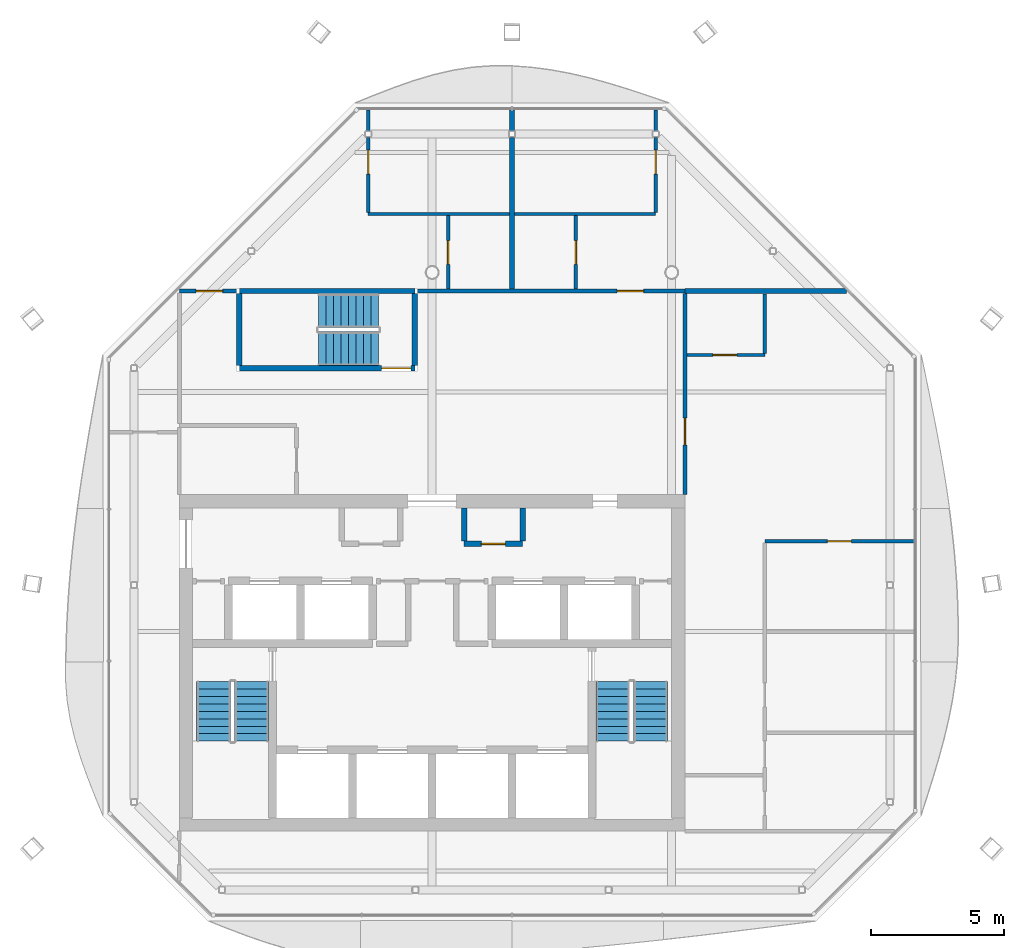
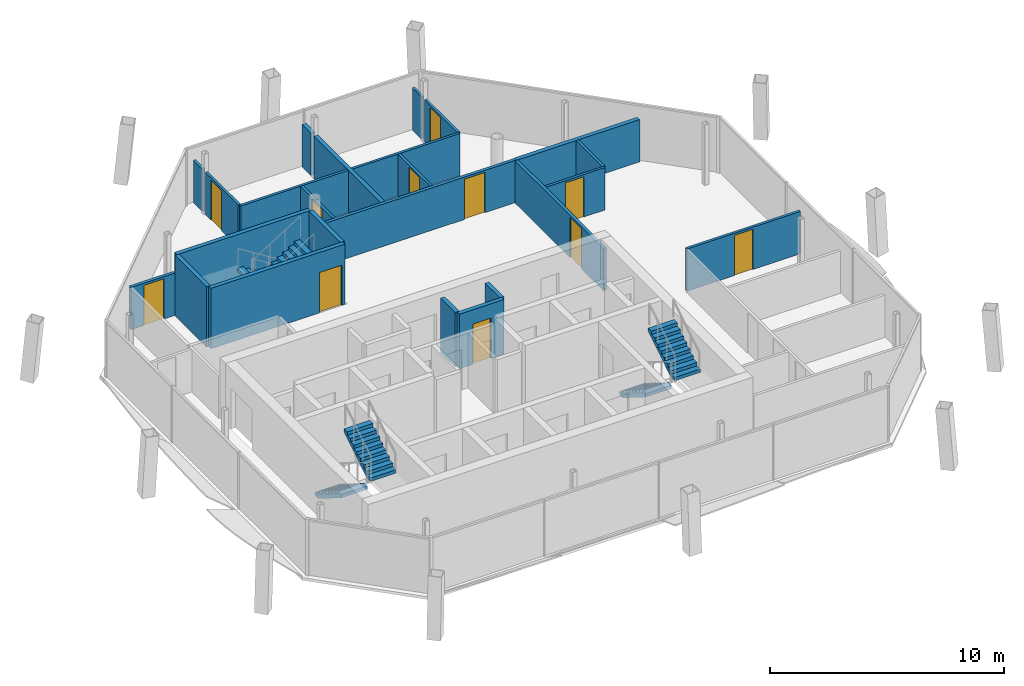
# One storey, part 10 of 13: 23 walls, 11 doors, 6 stair flights, 11 openings, 3 elements without a shape of their own.
"""IFC4 building model written with IfcOpenShell, lengths in metres."""

from ifc_helpers import new_model, si_unit, direction, frame, frame_2d, origin, place, context, subcontext, project, spatial, polyline, rectangle, outline, extrude, material, layer, layer_set, type_object, element, fill, aggregate, save


model = new_model("IFC4")

# Units and contexts
model_context = context("Model", 3, precision=1e-05, world=origin(), true_north=direction((0.0, 1.0)))
body_context = subcontext(model_context, "Body", "Model", "MODEL_VIEW")
ifc_project = project(units=[si_unit("LENGTHUNIT", "METRE"), si_unit("AREAUNIT", "SQUARE_METRE"), si_unit("VOLUMEUNIT", "CUBIC_METRE"), si_unit("PLANEANGLEUNIT", "RADIAN"), si_unit("MASSUNIT", "GRAM", prefix="KILO")], contexts=[model_context])

# Site, building, storey
site_placement = place(None, origin())
site = spatial("IfcSite", under=ifc_project, at=site_placement, CompositionType="ELEMENT")
building_placement = place(site_placement, origin())
building = spatial("IfcBuilding", under=site, at=building_placement, Name="Tskaro Facet Tower", CompositionType="ELEMENT")
storey_placement = place(building_placement, frame((0.0, 0.0, 291.0)))
storey = spatial("IfcBuildingStorey", under=building, at=storey_placement, Name="L78", CompositionType="ELEMENT", Elevation=291.0)

# Wall, opening, door
ifc_material_1 = material(Name="Concrete C20/25", Category="concrete")
ifc_layer_1 = layer(ifc_material_1, 0.199951171875, Name="Concrete C20/25")
ifc_layer_set_1 = layer_set([ifc_layer_1], Name="Concrete C20/25")
wall_type_1 = type_object("IfcWallType", Name="CORE-WALL", PredefinedType="SOLIDWALL", material=ifc_layer_set_1)
wall_1_placement = place(storey_placement, frame((1.199951171875, -1.199951171875, 0.0), z_axis=(0.0, 0.0, 1.0), x_axis=(1.0, 0.0, 0.0)))
wall_1 = element("IfcWall", 1, at=wall_1_placement, inside=storey, type_object=wall_type_1, Name="Core room wall W016", PredefinedType="SOLIDWALL", context=body_context, shape_type="SweptSolid", body=[
    extrude(rectangle(XDim=2.199951171875, YDim=0.199951171875, at=frame_2d((1.10009765625, 0.0))), origin(), (0.0, 0.0, 1.0), 2.85009765625),
])
opening_1_placement = place(wall_1_placement, frame((0.64990234375, 0.0, 0.0)))
opening_1 = element("IfcOpeningElement", 2, at=opening_1_placement, cuts=wall_1, Name="Opening T23-D11", PredefinedType="OPENING", context=body_context, shape_type="SweptSolid", body=[
    extrude(rectangle(XDim=0.89990234375, YDim=2.10009765625, at=frame_2d((0.449951171875, 1.050048828125))), frame((0.0, 0.10986328125, 0.0), z_axis=(0.0, -1.0, 0.0), x_axis=(1.0, 0.0, 0.0)), (0.0, 0.0, 1.0), 0.219970703125),
])
ifc_material_2 = material(Name="Timber", Category="wood")
door_type_1 = type_object("IfcDoorType", Name="D-ROOM", OperationType="NOTDEFINED", PredefinedType="DOOR", material=ifc_material_2)
door_1_placement = place(opening_1_placement, origin())
door_1 = element("IfcDoor", 3, at=door_1_placement, inside=storey, type_object=door_type_1, Name="Door T23-D11", OperationType="SINGLE_SWING_LEFT", OverallHeight=2.10009765625, OverallWidth=0.89990234375, PredefinedType="DOOR", context=body_context, shape_type="SweptSolid", body=[
    extrude(rectangle(XDim=0.89990234375, YDim=2.10009765625, at=frame_2d((0.449951171875, 1.050048828125))), frame((0.0, 0.02490234375, 0.0), z_axis=(0.0, -1.0, 0.0), x_axis=(1.0, 0.0, 0.0)), (0.0, 0.0, 1.0), 0.050048828125),
])
fill(opening_1, door_1)

# Walls
for number, where, z_axis, x_axis, name in (
    (4, (1.199951171875, -1.10009765625, 0.0), (0.0, 0.0, 1.0), (0.0, 1.0, 0.0), "Core room wall W046"),
    (5, (3.39990234375, -1.10009765625, 0.0), (0.0, 0.0, 1.0), (0.0, 1.0, 0.0), "Core room wall W051"),
):
    element("IfcWall", number, at=place(storey_placement, frame(where, z_axis=z_axis, x_axis=x_axis)), inside=storey, type_object=wall_type_1, Name=name, PredefinedType="SOLIDWALL", context=body_context, shape_type="SweptSolid", body=[
        extrude(rectangle(XDim=1.25, YDim=0.199951171875, at=frame_2d((0.625, 0.0))), origin(), (0.0, 0.0, 1.0), 2.85009765625),
    ])

# Wall, opening, door
ifc_material_3 = material(Name="Gypsum board on steel studs", Category="steel")
ifc_layer_2 = layer(ifc_material_3, 0.125, Name="Gypsum board on steel studs")
ifc_layer_set_2 = layer_set([ifc_layer_2], Name="Gypsum board on steel studs")
wall_type_2 = type_object("IfcWallType", Name="PART", PredefinedType="PARTITIONING", material=ifc_layer_set_2)
wall_2_placement = place(storey_placement, frame((18.10009765625, -1.10009765625, 0.0), z_axis=(0.0, 0.0, 1.0), x_axis=(-1.0, 0.0, 0.0)))
wall_2 = element("IfcWall", 6, at=wall_2_placement, inside=storey, type_object=wall_type_2, Name="Partition W017", PredefinedType="PARTITIONING", context=body_context, shape_type="SweptSolid", body=[
    extrude(rectangle(XDim=5.60009765625, YDim=0.125, at=frame_2d((2.800048828125, 0.0))), origin(), (0.0, 0.0, 1.0), 2.2099609375),
])
opening_2_placement = place(wall_2_placement, frame((2.35009765625, 0.0, 0.0)))
opening_2 = element("IfcOpeningElement", 7, at=opening_2_placement, cuts=wall_2, Name="Opening T23-D12", PredefinedType="OPENING", context=body_context, shape_type="SweptSolid", body=[
    extrude(rectangle(XDim=0.89990234375, YDim=2.10009765625, at=frame_2d((0.449951171875, 1.050048828125))), frame((0.0, 0.072509765625, 0.0), z_axis=(0.0, -1.0, 0.0), x_axis=(1.0, 0.0, 0.0)), (0.0, 0.0, 1.0), 0.14501953125),
])
door_2_placement = place(opening_2_placement, origin())
door_2 = element("IfcDoor", 8, at=door_2_placement, inside=storey, type_object=door_type_1, Name="Door T23-D12", OperationType="SINGLE_SWING_RIGHT", OverallHeight=2.10009765625, OverallWidth=0.89990234375, PredefinedType="DOOR", context=body_context, shape_type="SweptSolid", body=[
    extrude(rectangle(XDim=0.89990234375, YDim=2.10009765625, at=frame_2d((0.449951171875, 1.050048828125))), frame((0.0, 0.02490234375, 0.0), z_axis=(0.0, -1.0, 0.0), x_axis=(1.0, 0.0, 0.0)), (0.0, 0.0, 1.0), 0.050048828125),
])
fill(opening_2, door_2)

wall_3_placement = place(storey_placement, frame((9.574951171875, 5.89990234375, 0.0), z_axis=(0.0, 0.0, 1.0), x_axis=(1.0, 0.0, 0.0)))
wall_3 = element("IfcWall", 9, at=wall_3_placement, inside=storey, type_object=wall_type_2, Name="Partition W021", PredefinedType="PARTITIONING", context=body_context, shape_type="SweptSolid", body=[
    extrude(rectangle(XDim=2.925048828125, YDim=0.125, at=frame_2d((1.46240234375, 0.0))), origin(), (0.0, 0.0, 1.0), 2.2099609375),
])
opening_3_placement = place(wall_3_placement, frame((0.97509765625, 0.0, 0.0)))
opening_3 = element("IfcOpeningElement", 10, at=opening_3_placement, cuts=wall_3, Name="Opening T23-D18", PredefinedType="OPENING", context=body_context, shape_type="SweptSolid", body=[
    extrude(rectangle(XDim=0.89990234375, YDim=2.10009765625, at=frame_2d((0.449951171875, 1.050048828125))), frame((0.0, 0.072509765625, 0.0), z_axis=(0.0, -1.0, 0.0), x_axis=(1.0, 0.0, 0.0)), (0.0, 0.0, 1.0), 0.14501953125),
])
door_3_placement = place(opening_3_placement, origin())
door_3 = element("IfcDoor", 11, at=door_3_placement, inside=storey, type_object=door_type_1, Name="Door T23-D18", OperationType="SINGLE_SWING_LEFT", OverallHeight=2.10009765625, OverallWidth=0.89990234375, PredefinedType="DOOR", context=body_context, shape_type="SweptSolid", body=[
    extrude(rectangle(XDim=0.89990234375, YDim=2.10009765625, at=frame_2d((0.449951171875, 1.050048828125))), frame((0.0, 0.02490234375, 0.0), z_axis=(0.0, -1.0, 0.0), x_axis=(1.0, 0.0, 0.0)), (0.0, 0.0, 1.0), 0.050048828125),
])
fill(opening_3, door_3)

# Wall
wall_4_placement = place(storey_placement, frame((-2.405029296875, 11.199951171875, 0.0), z_axis=(0.0, 0.0, 1.0), x_axis=(1.0, 0.0, 0.0)))
element("IfcWall", 12, at=wall_4_placement, inside=storey, type_object=wall_type_2, Name="Partition W026", PredefinedType="PARTITIONING", context=body_context, shape_type="SweptSolid", body=[
    extrude(rectangle(XDim=10.804931640625, YDim=0.125, at=frame_2d((5.40234375, 0.0))), origin(), (0.0, 0.0, 1.0), 2.2099609375),
])

# Wall, opening, door
wall_5_placement = place(storey_placement, frame((-2.405029296875, 14.074951171875, 0.0), z_axis=(0.0, 0.0, 1.0), x_axis=(0.0, -1.0, 0.0)))
wall_5 = element("IfcWall", 13, at=wall_5_placement, inside=storey, type_object=wall_type_2, Name="Partition W037", PredefinedType="PARTITIONING", context=body_context, shape_type="SweptSolid", body=[
    extrude(rectangle(XDim=2.8125, YDim=0.125, at=frame_2d((1.40625, 0.0))), origin(), (0.0, 0.0, 1.0), 2.2099609375),
])
opening_4_placement = place(wall_5_placement, frame((0.47509765625, 0.0, 0.0)))
opening_4 = element("IfcOpeningElement", 14, at=opening_4_placement, cuts=wall_5, Name="Opening T23-D23", PredefinedType="OPENING", context=body_context, shape_type="SweptSolid", body=[
    extrude(rectangle(XDim=0.89990234375, YDim=2.10009765625, at=frame_2d((0.449951171875, 1.050048828125))), frame((0.0, 0.072509765625, 0.0), z_axis=(0.0, -1.0, 0.0), x_axis=(1.0, 0.0, 0.0)), (0.0, 0.0, 1.0), 0.14501953125),
])
door_4_placement = place(opening_4_placement, origin())
door_4 = element("IfcDoor", 15, at=door_4_placement, inside=storey, type_object=door_type_1, Name="Door T23-D23", OperationType="SINGLE_SWING_RIGHT", OverallHeight=2.10009765625, OverallWidth=0.89990234375, PredefinedType="DOOR", context=body_context, shape_type="SweptSolid", body=[
    extrude(rectangle(XDim=0.89990234375, YDim=2.10009765625, at=frame_2d((0.449951171875, 1.050048828125))), frame((0.0, 0.02490234375, 0.0), z_axis=(0.0, -1.0, 0.0), x_axis=(1.0, 0.0, 0.0)), (0.0, 0.0, 1.0), 0.050048828125),
])
fill(opening_4, door_4)

# Wall
wall_6_placement = place(storey_placement, frame((-2.405029296875, 14.324951171875, 0.0), z_axis=(0.0, 0.0, 1.0), x_axis=(0.0, 1.0, 0.0)))
element("IfcWall", 16, at=wall_6_placement, inside=storey, type_object=wall_type_2, Name="Partition W038", PredefinedType="PARTITIONING", context=body_context, shape_type="SweptSolid", body=[
    extrude(rectangle(XDim=0.775146484375, YDim=0.125, at=frame_2d((0.3876953125, 0.0))), origin(), (0.0, 0.0, 1.0), 2.2099609375),
])

# Wall, opening, door
wall_7_placement = place(storey_placement, frame((0.60009765625, 11.137451171875, 0.0), z_axis=(0.0, 0.0, 1.0), x_axis=(0.0, -1.0, 0.0)))
wall_7 = element("IfcWall", 17, at=wall_7_placement, inside=storey, type_object=wall_type_2, Name="Partition W044", PredefinedType="PARTITIONING", context=body_context, shape_type="SweptSolid", body=[
    extrude(rectangle(XDim=2.762451171875, YDim=0.125, at=frame_2d((1.38134765625, 0.0))), origin(), (0.0, 0.0, 1.0), 2.2099609375),
])
opening_5_placement = place(wall_7_placement, frame((0.9375, 0.0, 0.0)))
opening_5 = element("IfcOpeningElement", 18, at=opening_5_placement, cuts=wall_7, Name="Opening T23-D21", PredefinedType="OPENING", context=body_context, shape_type="SweptSolid", body=[
    extrude(rectangle(XDim=0.89990234375, YDim=2.10009765625, at=frame_2d((0.449951171875, 1.050048828125))), frame((0.0, 0.072509765625, 0.0), z_axis=(0.0, -1.0, 0.0), x_axis=(1.0, 0.0, 0.0)), (0.0, 0.0, 1.0), 0.14501953125),
])
door_5_placement = place(opening_5_placement, origin())
door_5 = element("IfcDoor", 19, at=door_5_placement, inside=storey, type_object=door_type_1, Name="Door T23-D21", OperationType="SINGLE_SWING_RIGHT", OverallHeight=2.10009765625, OverallWidth=0.89990234375, PredefinedType="DOOR", context=body_context, shape_type="SweptSolid", body=[
    extrude(rectangle(XDim=0.89990234375, YDim=2.10009765625, at=frame_2d((0.449951171875, 1.050048828125))), frame((0.0, 0.02490234375, 0.0), z_axis=(0.0, -1.0, 0.0), x_axis=(1.0, 0.0, 0.0)), (0.0, 0.0, 1.0), 0.050048828125),
])
fill(opening_5, door_5)

wall_8_placement = place(storey_placement, frame((5.39990234375, 8.375, 0.0), z_axis=(0.0, 0.0, 1.0), x_axis=(0.0, 1.0, 0.0)))
wall_8 = element("IfcWall", 20, at=wall_8_placement, inside=storey, type_object=wall_type_2, Name="Partition W053", PredefinedType="PARTITIONING", context=body_context, shape_type="SweptSolid", body=[
    extrude(rectangle(XDim=2.762451171875, YDim=0.125, at=frame_2d((1.38134765625, 0.0))), origin(), (0.0, 0.0, 1.0), 2.2099609375),
])
opening_6_placement = place(wall_8_placement, frame((0.925048828125, 0.0, 0.0)))
opening_6 = element("IfcOpeningElement", 21, at=opening_6_placement, cuts=wall_8, Name="Opening T23-D22", PredefinedType="OPENING", context=body_context, shape_type="SweptSolid", body=[
    extrude(rectangle(XDim=0.89990234375, YDim=2.10009765625, at=frame_2d((0.449951171875, 1.050048828125))), frame((0.0, 0.072509765625, 0.0), z_axis=(0.0, -1.0, 0.0), x_axis=(1.0, 0.0, 0.0)), (0.0, 0.0, 1.0), 0.14501953125),
])
door_6_placement = place(opening_6_placement, origin())
door_6 = element("IfcDoor", 22, at=door_6_placement, inside=storey, type_object=door_type_1, Name="Door T23-D22", OperationType="SINGLE_SWING_LEFT", OverallHeight=2.10009765625, OverallWidth=0.89990234375, PredefinedType="DOOR", context=body_context, shape_type="SweptSolid", body=[
    extrude(rectangle(XDim=0.89990234375, YDim=2.10009765625, at=frame_2d((0.449951171875, 1.050048828125))), frame((0.0, 0.02490234375, 0.0), z_axis=(0.0, -1.0, 0.0), x_axis=(1.0, 0.0, 0.0)), (0.0, 0.0, 1.0), 0.050048828125),
])
fill(opening_6, door_6)

wall_9_placement = place(storey_placement, frame((8.39990234375, 11.262451171875, 0.0), z_axis=(0.0, 0.0, 1.0), x_axis=(0.0, 1.0, 0.0)))
wall_9 = element("IfcWall", 23, at=wall_9_placement, inside=storey, type_object=wall_type_2, Name="Partition W056", PredefinedType="PARTITIONING", context=body_context, shape_type="SweptSolid", body=[
    extrude(rectangle(XDim=2.8125, YDim=0.125, at=frame_2d((1.40625, 0.0))), origin(), (0.0, 0.0, 1.0), 2.2099609375),
])
opening_7_placement = place(wall_9_placement, frame((1.4375, 0.0, 0.0)))
opening_7 = element("IfcOpeningElement", 24, at=opening_7_placement, cuts=wall_9, Name="Opening T23-D24", PredefinedType="OPENING", context=body_context, shape_type="SweptSolid", body=[
    extrude(rectangle(XDim=0.89990234375, YDim=2.10009765625, at=frame_2d((0.449951171875, 1.050048828125))), frame((0.0, 0.072509765625, 0.0), z_axis=(0.0, -1.0, 0.0), x_axis=(1.0, 0.0, 0.0)), (0.0, 0.0, 1.0), 0.14501953125),
])
door_7_placement = place(opening_7_placement, origin())
door_7 = element("IfcDoor", 25, at=door_7_placement, inside=storey, type_object=door_type_1, Name="Door T23-D24", OperationType="SINGLE_SWING_LEFT", OverallHeight=2.10009765625, OverallWidth=0.89990234375, PredefinedType="DOOR", context=body_context, shape_type="SweptSolid", body=[
    extrude(rectangle(XDim=0.89990234375, YDim=2.10009765625, at=frame_2d((0.449951171875, 1.050048828125))), frame((0.0, 0.02490234375, 0.0), z_axis=(0.0, -1.0, 0.0), x_axis=(1.0, 0.0, 0.0)), (0.0, 0.0, 1.0), 0.050048828125),
])
fill(opening_7, door_7)

# Walls
wall_10_placement = place(storey_placement, frame((8.39990234375, 14.324951171875, 0.0), z_axis=(0.0, 0.0, 1.0), x_axis=(0.0, 1.0, 0.0)))
element("IfcWall", 26, at=wall_10_placement, inside=storey, type_object=wall_type_2, Name="Partition W057", PredefinedType="PARTITIONING", context=body_context, shape_type="SweptSolid", body=[
    extrude(rectangle(XDim=0.775146484375, YDim=0.125, at=frame_2d((0.3876953125, 0.0))), origin(), (0.0, 0.0, 1.0), 2.2099609375),
])
wall_11_placement = place(storey_placement, frame((12.5, 5.96240234375, 0.0), z_axis=(0.0, 0.0, 1.0), x_axis=(0.0, 1.0, 0.0)))
element("IfcWall", 27, at=wall_11_placement, inside=storey, type_object=wall_type_2, Name="Partition W060", PredefinedType="PARTITIONING", context=body_context, shape_type="SweptSolid", body=[
    extrude(rectangle(XDim=2.237548828125, YDim=0.125, at=frame_2d((1.11865234375, 0.0))), origin(), (0.0, 0.0, 1.0), 2.2099609375),
])

# Wall, opening, door
ifc_layer_3 = layer(ifc_material_3, 0.14990234375, Name="Gypsum board on steel studs")
ifc_layer_set_3 = layer_set([ifc_layer_3], Name="Gypsum board on steel studs")
wall_type_3 = type_object("IfcWallType", Name="PART-CORR", PredefinedType="PARTITIONING", material=ifc_layer_set_3)
wall_12_placement = place(storey_placement, frame((-9.5, 8.300048828125, 0.0), z_axis=(0.0, 0.0, 1.0), x_axis=(1.0, 0.0, 0.0)))
wall_12 = element("IfcWall", 28, at=wall_12_placement, inside=storey, type_object=wall_type_3, Name="Corridor wall W022", PredefinedType="PARTITIONING", context=body_context, shape_type="SweptSolid", body=[
    extrude(rectangle(XDim=2.14990234375, YDim=0.14990234375, at=frame_2d((1.074951171875, 0.0))), origin(), (0.0, 0.0, 1.0), 2.2099609375),
])
opening_8_placement = place(wall_12_placement, frame((0.625, 0.0, 0.0)))
opening_8 = element("IfcOpeningElement", 29, at=opening_8_placement, cuts=wall_12, Name="Opening T23-D19", PredefinedType="OPENING", context=body_context, shape_type="SweptSolid", body=[
    extrude(rectangle(XDim=1.0, YDim=2.10009765625, at=frame_2d((0.5, 1.050048828125))), frame((0.0, 0.0849609375, 0.0), z_axis=(0.0, -1.0, 0.0), x_axis=(1.0, 0.0, 0.0)), (0.0, 0.0, 1.0), 0.169921875),
])
door_type_2 = type_object("IfcDoorType", Name="D-FLAT-ENTRY", OperationType="NOTDEFINED", PredefinedType="DOOR", material=ifc_material_2)
door_8_placement = place(opening_8_placement, origin())
door_8 = element("IfcDoor", 30, at=door_8_placement, inside=storey, type_object=door_type_2, Name="Door T23-D19", OperationType="SINGLE_SWING_RIGHT", OverallHeight=2.10009765625, OverallWidth=1.0, PredefinedType="DOOR", context=body_context, shape_type="SweptSolid", body=[
    extrude(rectangle(XDim=1.0, YDim=2.10009765625, at=frame_2d((0.5, 1.050048828125))), frame((0.0, 0.02490234375, 0.0), z_axis=(0.0, -1.0, 0.0), x_axis=(1.0, 0.0, 0.0)), (0.0, 0.0, 1.0), 0.050048828125),
])
fill(opening_8, door_8)

wall_13_placement = place(storey_placement, frame((-0.550048828125, 8.300048828125, 0.0), z_axis=(0.0, 0.0, 1.0), x_axis=(1.0, 0.0, 0.0)))
wall_13 = element("IfcWall", 31, at=wall_13_placement, inside=storey, type_object=wall_type_3, Name="Corridor wall W024", PredefinedType="PARTITIONING", context=body_context, shape_type="SweptSolid", body=[
    extrude(rectangle(XDim=10.050048828125, YDim=0.14990234375, at=frame_2d((5.02490234375, 0.0))), origin(), (0.0, 0.0, 1.0), 2.2099609375),
])
opening_9_placement = place(wall_13_placement, frame((7.5, 0.0, 0.0)))
opening_9 = element("IfcOpeningElement", 32, at=opening_9_placement, cuts=wall_13, Name="Opening T23-D20", PredefinedType="OPENING", context=body_context, shape_type="SweptSolid", body=[
    extrude(rectangle(XDim=1.0, YDim=2.10009765625, at=frame_2d((0.5, 1.050048828125))), frame((0.0, 0.0849609375, 0.0), z_axis=(0.0, -1.0, 0.0), x_axis=(1.0, 0.0, 0.0)), (0.0, 0.0, 1.0), 0.169921875),
])
door_9_placement = place(opening_9_placement, origin())
door_9 = element("IfcDoor", 33, at=door_9_placement, inside=storey, type_object=door_type_2, Name="Door T23-D20", OperationType="SINGLE_SWING_LEFT", OverallHeight=2.10009765625, OverallWidth=1.0, PredefinedType="DOOR", context=body_context, shape_type="SweptSolid", body=[
    extrude(rectangle(XDim=1.0, YDim=2.10009765625, at=frame_2d((0.5, 1.050048828125))), frame((0.0, 0.02490234375, 0.0), z_axis=(0.0, -1.0, 0.0), x_axis=(1.0, 0.0, 0.0)), (0.0, 0.0, 1.0), 0.050048828125),
])
fill(opening_9, door_9)

wall_14_placement = place(storey_placement, frame((9.5, 8.199951171875, 0.0), z_axis=(0.0, 0.0, 1.0), x_axis=(0.0, -1.0, 0.0)))
wall_14 = element("IfcWall", 34, at=wall_14_placement, inside=storey, type_object=wall_type_3, Name="Corridor wall W058", PredefinedType="PARTITIONING", context=body_context, shape_type="SweptSolid", body=[
    extrude(rectangle(XDim=7.550048828125, YDim=0.14990234375, at=frame_2d((3.77490234375, 0.0))), origin(), (0.0, 0.0, 1.0), 2.2099609375),
])
opening_10_placement = place(wall_14_placement, frame((4.675048828125, 0.0, 0.0)))
opening_10 = element("IfcOpeningElement", 35, at=opening_10_placement, cuts=wall_14, Name="Opening T23-D17", PredefinedType="OPENING", context=body_context, shape_type="SweptSolid", body=[
    extrude(rectangle(XDim=1.0, YDim=2.10009765625, at=frame_2d((0.5, 1.050048828125))), frame((0.0, 0.0849609375, 0.0), z_axis=(0.0, -1.0, 0.0), x_axis=(1.0, 0.0, 0.0)), (0.0, 0.0, 1.0), 0.169921875),
])
door_10_placement = place(opening_10_placement, origin())
door_10 = element("IfcDoor", 36, at=door_10_placement, inside=storey, type_object=door_type_2, Name="Door T23-D17", OperationType="SINGLE_SWING_LEFT", OverallHeight=2.10009765625, OverallWidth=1.0, PredefinedType="DOOR", context=body_context, shape_type="SweptSolid", body=[
    extrude(rectangle(XDim=1.0, YDim=2.10009765625, at=frame_2d((0.5, 1.050048828125))), frame((0.0, 0.02490234375, 0.0), z_axis=(0.0, -1.0, 0.0), x_axis=(1.0, 0.0, 0.0)), (0.0, 0.0, 1.0), 0.050048828125),
])
fill(opening_10, door_10)

# Walls
ifc_layer_4 = layer(ifc_material_3, 0.199951171875, Name="Gypsum board on steel studs")
ifc_layer_set_4 = layer_set([ifc_layer_4], Name="Gypsum board on steel studs")
wall_type_4 = type_object("IfcWallType", Name="PART-DEMISING", PredefinedType="PARTITIONING", material=ifc_layer_set_4)
wall_15_placement = place(storey_placement, frame((9.5, 8.300048828125, 0.0), z_axis=(0.0, 0.0, 1.0), x_axis=(1.0, 0.0, 0.0)))
element("IfcWall", 37, at=wall_15_placement, inside=storey, type_object=wall_type_4, Name="Guest room wall W025", PredefinedType="PARTITIONING", context=body_context, shape_type="SweptSolid", body=[
    extrude(rectangle(XDim=6.075927734375, YDim=0.199951171875, at=frame_2d((3.0380859375, 0.0))), origin(), (0.0, 0.0, 1.0), 2.2099609375),
])
wall_16_placement = place(storey_placement, frame((3.0, 8.375, 0.0), z_axis=(0.0, 0.0, 1.0), x_axis=(0.0, 1.0, 0.0)))
element("IfcWall", 38, at=wall_16_placement, inside=storey, type_object=wall_type_4, Name="Guest room wall W049", PredefinedType="PARTITIONING", context=body_context, shape_type="SweptSolid", body=[
    extrude(rectangle(XDim=5.699951171875, YDim=0.199951171875, at=frame_2d((2.85009765625, 0.0))), origin(), (0.0, 0.0, 1.0), 2.2099609375),
])
wall_17_placement = place(storey_placement, frame((3.0, 14.324951171875, 0.0), z_axis=(0.0, 0.0, 1.0), x_axis=(0.0, 1.0, 0.0)))
element("IfcWall", 39, at=wall_17_placement, inside=storey, type_object=wall_type_4, Name="Guest room wall W050", PredefinedType="PARTITIONING", context=body_context, shape_type="SweptSolid", body=[
    extrude(rectangle(XDim=0.775146484375, YDim=0.199951171875, at=frame_2d((0.3876953125, 0.0))), origin(), (0.0, 0.0, 1.0), 2.2099609375),
])

# Wall, opening, door
ifc_material_4 = material(Name="Concrete C60/75", Category="concrete")
ifc_layer_5 = layer(ifc_material_4, 0.199951171875, Name="Concrete C60/75")
ifc_layer_set_5 = layer_set([ifc_layer_5], Name="Concrete C60/75")
wall_type_5 = type_object("IfcWallType", Name="STAIR-WALL", PredefinedType="SHEAR", material=ifc_layer_set_5)
wall_18_placement = place(storey_placement, frame((-7.25, 5.39990234375, 0.0), z_axis=(0.0, 0.0, 1.0), x_axis=(1.0, 0.0, 0.0)))
wall_18 = element("IfcWall", 40, at=wall_18_placement, inside=storey, type_object=wall_type_5, Name="Stair wall W020", PredefinedType="SHEAR", context=body_context, shape_type="SweptSolid", body=[
    extrude(rectangle(XDim=6.60009765625, YDim=0.199951171875, at=frame_2d((3.300048828125, 0.0))), origin(), (0.0, 0.0, 1.0), 3.14990234375),
])
opening_11_placement = place(wall_18_placement, frame((5.35009765625, 0.0, 0.0)))
opening_11 = element("IfcOpeningElement", 41, at=opening_11_placement, cuts=wall_18, Name="Opening ST-3-D1", PredefinedType="OPENING", context=body_context, shape_type="SweptSolid", body=[
    extrude(rectangle(XDim=1.10009765625, YDim=2.10009765625, at=frame_2d((0.550048828125, 1.050048828125))), frame((0.0, 0.10986328125, 0.0), z_axis=(0.0, -1.0, 0.0), x_axis=(1.0, 0.0, 0.0)), (0.0, 0.0, 1.0), 0.219970703125),
])
ifc_material_5 = material(Name="Steel", Category="steel")
door_type_3 = type_object("IfcDoorType", Name="D-STAIR", OperationType="NOTDEFINED", PredefinedType="DOOR", material=ifc_material_5)
door_11_placement = place(opening_11_placement, origin())
door_11 = element("IfcDoor", 42, at=door_11_placement, inside=storey, type_object=door_type_3, Name="Stair door 3", OperationType="SINGLE_SWING_LEFT", OverallHeight=2.10009765625, OverallWidth=1.10009765625, PredefinedType="DOOR", context=body_context, shape_type="SweptSolid", body=[
    extrude(rectangle(XDim=1.10009765625, YDim=2.10009765625, at=frame_2d((0.550048828125, 1.050048828125))), frame((0.0, 0.02490234375, 0.0), z_axis=(0.0, -1.0, 0.0), x_axis=(1.0, 0.0, 0.0)), (0.0, 0.0, 1.0), 0.050048828125),
])
fill(opening_11, door_11)

# Walls
wall_19_placement = place(storey_placement, frame((-7.25, 8.300048828125, 0.0), z_axis=(0.0, 0.0, 1.0), x_axis=(1.0, 0.0, 0.0)))
element("IfcWall", 43, at=wall_19_placement, inside=storey, type_object=wall_type_5, Name="Stair wall W023", PredefinedType="SHEAR", context=body_context, shape_type="SweptSolid", body=[
    extrude(rectangle(XDim=6.60009765625, YDim=0.199951171875, at=frame_2d((3.300048828125, 0.0))), origin(), (0.0, 0.0, 1.0), 3.14990234375),
])
for number, where, z_axis, x_axis, name in (
    (44, (-7.25, 5.5, 0.0), (0.0, 0.0, 1.0), (0.0, 1.0, 0.0), "Stair wall W031"),
    (45, (-0.64990234375, 5.5, 0.0), (0.0, 0.0, 1.0), (0.0, 1.0, 0.0), "Stair wall W042"),
):
    element("IfcWall", number, at=place(storey_placement, frame(where, z_axis=z_axis, x_axis=x_axis)), inside=storey, type_object=wall_type_5, Name=name, PredefinedType="SHEAR", context=body_context, shape_type="SweptSolid", body=[
        extrude(rectangle(XDim=2.699951171875, YDim=0.199951171875, at=frame_2d((1.35009765625, 0.0))), origin(), (0.0, 0.0, 1.0), 3.14990234375),
    ])

# Stair, stair flights
ifc_material_6 = material(Name="Concrete C40/50", Category="concrete")
stair_type = type_object("IfcStairType", Name="ST-TWR", PredefinedType="HALF_TURN_STAIR", material=ifc_material_6)
stair_1_placement = place(storey_placement, origin())
stair_1 = element("IfcStair", 46, at=stair_1_placement, inside=storey, type_object=stair_type, Name="L78 Exit stair 1", PredefinedType="HALF_TURN_STAIR")
stair_flight_type = type_object("IfcStairFlightType", Name="SFL-RC", PredefinedType="STRAIGHT", material=ifc_material_6)
stair_flight_1_placement = place(storey_placement, frame((-8.21240234375, -6.375, 0.0), z_axis=(0.0, 0.0, 1.0), x_axis=(0.0, -1.0, 0.0)))
stair_flight_1 = element("IfcStairFlight", 47, at=stair_flight_1_placement, type_object=stair_flight_type, Name="ST-1 flight 1", NumberOfRisers=9, NumberOfTreads=8, PredefinedType="STRAIGHT", RiserHeight=0.175, TreadLength=0.28, context=body_context, shape_type="SweptSolid", body=[
    extrude(outline(polyline([(0.0, 0.0), (0.0, 0.175048828125), (0.280029296875, 0.175048828125), (0.280029296875, 0.35009765625), (0.56005859375, 0.35009765625), (0.56005859375, 0.52490234375), (0.840087890625, 0.52490234375), (0.840087890625, 0.699951171875), (1.1201171875, 0.699951171875), (1.1201171875, 0.875), (1.39990234375, 0.875), (1.39990234375, 1.050048828125), (1.679931640625, 1.050048828125), (1.679931640625, 1.22509765625), (1.9599609375, 1.22509765625), (1.9599609375, 1.39990234375), (2.239990234375, 1.39990234375), (2.239990234375, 1.574951171875), (2.239990234375, 1.22314453125), (0.28271484375, 0.0), (0.0, 0.0)])), frame((0.0, 0.637451171875, 0.0), z_axis=(0.0, -1.0, 0.0), x_axis=(1.0, 0.0, 0.0)), (0.0, 0.0, 1.0), 1.27490234375),
])
stair_flight_2_placement = place(storey_placement, frame((-6.78759765625, -8.614990234375, 1.574951171875), z_axis=(0.0, 0.0, 1.0), x_axis=(0.0, 1.0, 0.0)))
stair_flight_2 = element("IfcStairFlight", 48, at=stair_flight_2_placement, type_object=stair_flight_type, Name="ST-1 flight 2", NumberOfRisers=9, NumberOfTreads=8, PredefinedType="STRAIGHT", RiserHeight=0.175, TreadLength=0.28, context=body_context, shape_type="SweptSolid", body=[
    extrude(outline(polyline([(0.0, 0.0), (0.0, 0.175048828125), (0.280029296875, 0.175048828125), (0.280029296875, 0.35009765625), (0.56005859375, 0.35009765625), (0.56005859375, 0.52490234375), (0.840087890625, 0.52490234375), (0.840087890625, 0.699951171875), (1.1201171875, 0.699951171875), (1.1201171875, 0.875), (1.39990234375, 0.875), (1.39990234375, 1.050048828125), (1.679931640625, 1.050048828125), (1.679931640625, 1.22509765625), (1.9599609375, 1.22509765625), (1.9599609375, 1.39990234375), (2.239990234375, 1.39990234375), (2.239990234375, 1.574951171875), (2.239990234375, 1.22314453125), (0.28271484375, 0.0), (0.0, 0.0)])), frame((0.0, 0.637451171875, 0.0), z_axis=(0.0, -1.0, 0.0), x_axis=(1.0, 0.0, 0.0)), (0.0, 0.0, 1.0), 1.27490234375),
])
aggregate(stair_1, [stair_flight_1, stair_flight_2])

stair_2_placement = place(storey_placement, origin())
stair_2 = element("IfcStair", 49, at=stair_2_placement, inside=storey, type_object=stair_type, Name="L78 Exit stair 2", PredefinedType="HALF_TURN_STAIR")
stair_flight_3_placement = place(storey_placement, frame((6.78759765625, -6.375, 0.0), z_axis=(0.0, 0.0, 1.0), x_axis=(0.0, -1.0, 0.0)))
stair_flight_3 = element("IfcStairFlight", 50, at=stair_flight_3_placement, type_object=stair_flight_type, Name="ST-2 flight 1", NumberOfRisers=9, NumberOfTreads=8, PredefinedType="STRAIGHT", RiserHeight=0.175, TreadLength=0.28, context=body_context, shape_type="SweptSolid", body=[
    extrude(outline(polyline([(0.0, 0.0), (0.0, 0.175048828125), (0.280029296875, 0.175048828125), (0.280029296875, 0.35009765625), (0.56005859375, 0.35009765625), (0.56005859375, 0.52490234375), (0.840087890625, 0.52490234375), (0.840087890625, 0.699951171875), (1.1201171875, 0.699951171875), (1.1201171875, 0.875), (1.39990234375, 0.875), (1.39990234375, 1.050048828125), (1.679931640625, 1.050048828125), (1.679931640625, 1.22509765625), (1.9599609375, 1.22509765625), (1.9599609375, 1.39990234375), (2.239990234375, 1.39990234375), (2.239990234375, 1.574951171875), (2.239990234375, 1.22314453125), (0.28271484375, 0.0), (0.0, 0.0)])), frame((0.0, 0.637451171875, 0.0), z_axis=(0.0, -1.0, 0.0), x_axis=(1.0, 0.0, 0.0)), (0.0, 0.0, 1.0), 1.27490234375),
])
stair_flight_4_placement = place(storey_placement, frame((8.21240234375, -8.614990234375, 1.574951171875), z_axis=(0.0, 0.0, 1.0), x_axis=(0.0, 1.0, 0.0)))
stair_flight_4 = element("IfcStairFlight", 51, at=stair_flight_4_placement, type_object=stair_flight_type, Name="ST-2 flight 2", NumberOfRisers=9, NumberOfTreads=8, PredefinedType="STRAIGHT", RiserHeight=0.175, TreadLength=0.28, context=body_context, shape_type="SweptSolid", body=[
    extrude(outline(polyline([(0.0, 0.0), (0.0, 0.175048828125), (0.280029296875, 0.175048828125), (0.280029296875, 0.35009765625), (0.56005859375, 0.35009765625), (0.56005859375, 0.52490234375), (0.840087890625, 0.52490234375), (0.840087890625, 0.699951171875), (1.1201171875, 0.699951171875), (1.1201171875, 0.875), (1.39990234375, 0.875), (1.39990234375, 1.050048828125), (1.679931640625, 1.050048828125), (1.679931640625, 1.22509765625), (1.9599609375, 1.22509765625), (1.9599609375, 1.39990234375), (2.239990234375, 1.39990234375), (2.239990234375, 1.574951171875), (2.239990234375, 1.22314453125), (0.28271484375, 0.0), (0.0, 0.0)])), frame((0.0, 0.637451171875, 0.0), z_axis=(0.0, -1.0, 0.0), x_axis=(1.0, 0.0, 0.0)), (0.0, 0.0, 1.0), 1.27490234375),
])
aggregate(stair_2, [stair_flight_3, stair_flight_4])

stair_3_placement = place(storey_placement, origin())
stair_3 = element("IfcStair", 52, at=stair_3_placement, inside=storey, type_object=stair_type, Name="L78 Exit stair 3", PredefinedType="HALF_TURN_STAIR")
stair_flight_5_placement = place(storey_placement, frame((-2.02490234375, 7.5625, 0.0), z_axis=(0.0, 0.0, 1.0), x_axis=(-1.0, 0.0, 0.0)))
stair_flight_5 = element("IfcStairFlight", 53, at=stair_flight_5_placement, type_object=stair_flight_type, Name="ST-3 flight 1", NumberOfRisers=9, NumberOfTreads=8, PredefinedType="STRAIGHT", RiserHeight=0.175, TreadLength=0.28, context=body_context, shape_type="SweptSolid", body=[
    extrude(outline(polyline([(0.0, 0.0), (0.0, 0.175048828125), (0.280029296875, 0.175048828125), (0.280029296875, 0.35009765625), (0.56005859375, 0.35009765625), (0.56005859375, 0.52490234375), (0.840087890625, 0.52490234375), (0.840087890625, 0.699951171875), (1.1201171875, 0.699951171875), (1.1201171875, 0.875), (1.39990234375, 0.875), (1.39990234375, 1.050048828125), (1.679931640625, 1.050048828125), (1.679931640625, 1.22509765625), (1.9599609375, 1.22509765625), (1.9599609375, 1.39990234375), (2.239990234375, 1.39990234375), (2.239990234375, 1.574951171875), (2.239990234375, 1.22314453125), (0.28271484375, 0.0), (0.0, 0.0)])), frame((0.0, 0.637451171875, 0.0), z_axis=(0.0, -1.0, 0.0), x_axis=(1.0, 0.0, 0.0)), (0.0, 0.0, 1.0), 1.27490234375),
])
stair_flight_6_placement = place(storey_placement, frame((-4.264892578125, 6.137451171875, 1.574951171875), z_axis=(0.0, 0.0, 1.0), x_axis=(1.0, 0.0, 0.0)))
stair_flight_6 = element("IfcStairFlight", 54, at=stair_flight_6_placement, type_object=stair_flight_type, Name="ST-3 flight 2", NumberOfRisers=9, NumberOfTreads=8, PredefinedType="STRAIGHT", RiserHeight=0.175, TreadLength=0.28, context=body_context, shape_type="SweptSolid", body=[
    extrude(outline(polyline([(0.0, 0.0), (0.0, 0.175048828125), (0.280029296875, 0.175048828125), (0.280029296875, 0.35009765625), (0.56005859375, 0.35009765625), (0.56005859375, 0.52490234375), (0.840087890625, 0.52490234375), (0.840087890625, 0.699951171875), (1.1201171875, 0.699951171875), (1.1201171875, 0.875), (1.39990234375, 0.875), (1.39990234375, 1.050048828125), (1.679931640625, 1.050048828125), (1.679931640625, 1.22509765625), (1.9599609375, 1.22509765625), (1.9599609375, 1.39990234375), (2.239990234375, 1.39990234375), (2.239990234375, 1.574951171875), (2.239990234375, 1.22314453125), (0.28271484375, 0.0), (0.0, 0.0)])), frame((0.0, 0.637451171875, 0.0), z_axis=(0.0, -1.0, 0.0), x_axis=(1.0, 0.0, 0.0)), (0.0, 0.0, 1.0), 1.27490234375),
])
aggregate(stair_3, [stair_flight_5, stair_flight_6])

save(model, "model.ifc")
